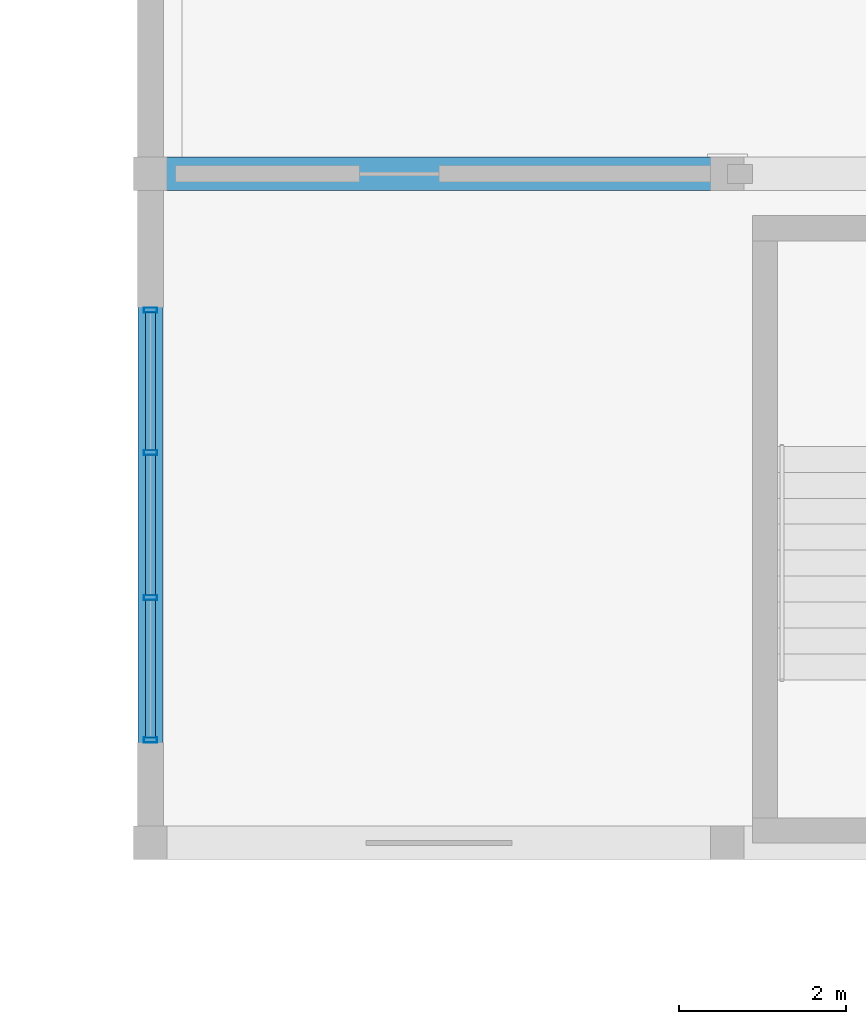
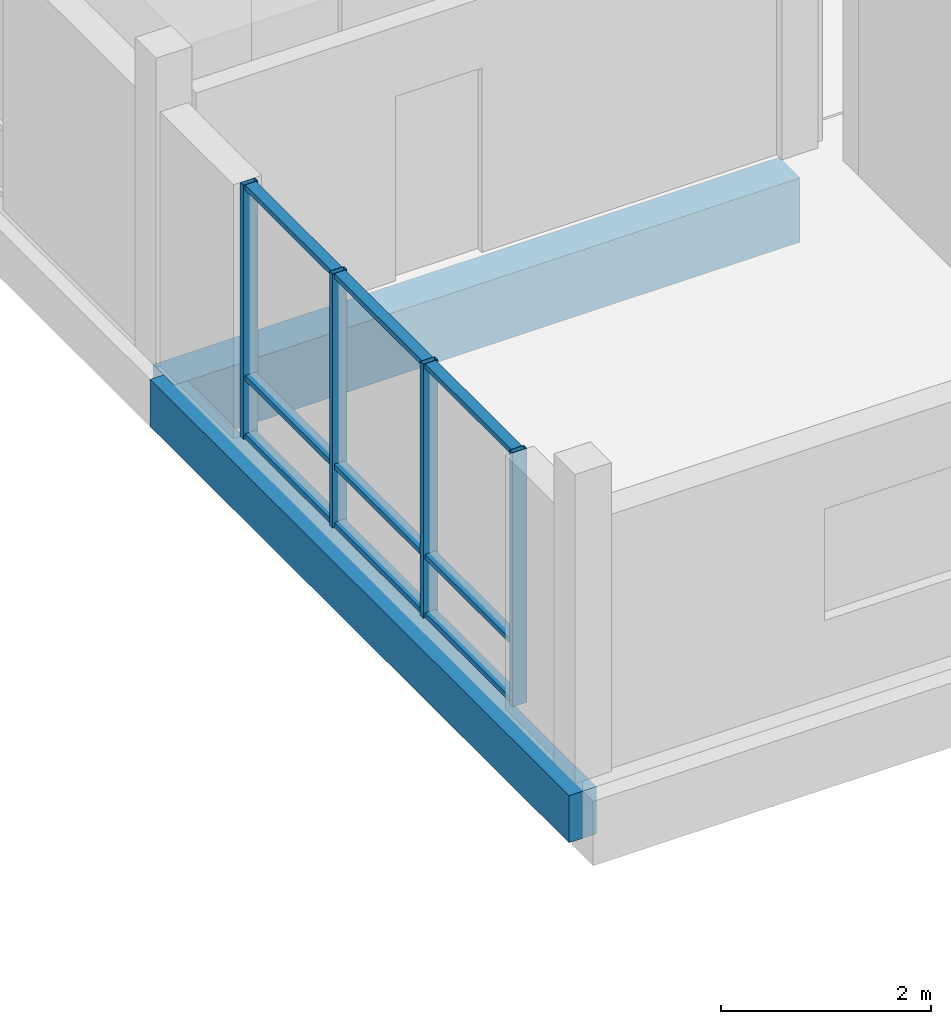
# One storey, part 22 of 189: 13 members, 2 beams, 1 element without a shape of its own.
"""IFC4 building model written with IfcOpenShell, lengths in metres."""

from ifc_helpers import new_model, si_unit, direction, frame, origin, origin_2d, place, context, subcontext, project, spatial, rectangle, hollow_rectangle, extrude, material, material_profile, profile_set, type_object, element, aggregate, save


model = new_model("IFC4")

# Units and contexts
model_context = context("Model", 3, precision=1e-05, world=origin(), true_north=direction((0.0, 1.0)))
body_context = subcontext(model_context, "Body", "Model", "MODEL_VIEW")
ifc_project = project(units=[si_unit("LENGTHUNIT", "METRE"), si_unit("AREAUNIT", "SQUARE_METRE"), si_unit("VOLUMEUNIT", "CUBIC_METRE"), si_unit("PLANEANGLEUNIT", "RADIAN"), si_unit("MASSUNIT", "GRAM", prefix="KILO")], contexts=[model_context])

# Site, building, storey
site_placement = place(None, origin())
site = spatial("IfcSite", under=ifc_project, at=site_placement, CompositionType="ELEMENT")
building_placement = place(site_placement, origin())
building = spatial("IfcBuilding", under=site, at=building_placement, Name="Zavelmont Quarter", CompositionType="ELEMENT")
storey_placement = place(building_placement, frame((0.0, 0.0, 4.39990234375)))
storey = spatial("IfcBuildingStorey", under=building, at=storey_placement, Name="L01", CompositionType="ELEMENT", Elevation=4.39990234375)

# Beams
ifc_material_1 = material(Name="Concrete C35/45", Category="concrete")
ifc_material_profile_1 = material_profile(ifc_material_1, rectangle(XDim=0.300048828125, YDim=0.550048828125, at=origin_2d()), Name="RC300X550")
ifc_profile_set_1 = profile_set([ifc_material_profile_1], Name="Concrete C35/45")
beam_type_1 = type_object("IfcBeamType", Name="BM02", PredefinedType="SPANDREL", material=ifc_profile_set_1)
beam_1_placement = place(storey_placement, frame((0.0, 30.0, -0.554931640625), z_axis=(0.0, 1.0, 0.0), x_axis=(-1.0, 0.0, 0.0)))
element("IfcBeam", 1, at=beam_1_placement, inside=storey, type_object=beam_type_1, Name="L01 beam BM02 1/F to 1/G", PredefinedType="SPANDREL", context=body_context, shape_type="SweptSolid", body=[
    extrude(rectangle(XDim=0.300048828125, YDim=0.550048828125, at=origin_2d()), origin(), (0.0, 0.0, 1.0), 8.0),
])
ifc_material_2 = material(Name="Concrete C40/50", Category="concrete")
ifc_material_profile_2 = material_profile(ifc_material_2, rectangle(XDim=0.39990234375, YDim=0.75, at=origin_2d()), Name="RC400X750")
ifc_profile_set_2 = profile_set([ifc_material_profile_2], Name="Concrete C40/50")
beam_type_2 = type_object("IfcBeamType", Name="BM05", PredefinedType="BEAM", material=ifc_profile_set_2)
beam_2_placement = place(storey_placement, frame((0.0, 38.0, -0.65478515625), z_axis=(1.0, 0.0, 0.0), x_axis=(0.0, 1.0, 0.0)))
element("IfcBeam", 2, at=beam_2_placement, inside=storey, type_object=beam_type_2, Name="L01 beam BM05 1/G to 2/G", PredefinedType="BEAM", context=body_context, shape_type="SweptSolid", body=[
    extrude(rectangle(XDim=0.39990234375, YDim=0.75, at=origin_2d()), origin(), (0.0, 0.0, 1.0), 6.89990234375),
])

# Curtain wall, members
ifc_material_3 = material(Name="Thermally broken aluminium and double low-E safety glazing", Category="aluminium")
curtain_wall_type = type_object("IfcCurtainWallType", Name="CW-520X296", PredefinedType="NOTDEFINED", material=ifc_material_3)
curtain_wall_placement = place(storey_placement, origin())
curtain_wall = element("IfcCurtainWall", 3, at=curtain_wall_placement, inside=storey, type_object=curtain_wall_type, Name="L01 unitised curtain wall CW-520X296", PredefinedType="NOTDEFINED")
ifc_material_4 = material(Name="Powder-coated aluminium EN AW-6063-T6", Category="aluminium")
ifc_material_profile_3 = material_profile(ifc_material_4, hollow_rectangle(XDim=0.06005859375, YDim=0.159912109375, WallThickness=0.00390625, at=origin_2d()), Name="CWM60X160")
ifc_profile_set_3 = profile_set([ifc_material_profile_3], Name="Powder-coated aluminium EN AW-6063-T6")
member_type_1 = type_object("IfcMemberType", Name="CWM01", PredefinedType="MULLION", material=ifc_profile_set_3)
member_1_placement = place(storey_placement, frame((0.0, 31.22998046875, 0.0), z_axis=(0.0, 0.0, 1.0), x_axis=(0.0, 1.0, 0.0)))
member_1 = element("IfcMember", 4, at=member_1_placement, type_object=member_type_1, Name="CW-520X296 mullion 1", PredefinedType="MULLION", context=body_context, shape_type="SweptSolid", body=[
    extrude(hollow_rectangle(XDim=0.06005859375, YDim=0.159912109375, WallThickness=0.00390625, at=origin_2d()), origin(), (0.0, 0.0, 1.0), 2.960205078125),
])
member_2_placement = place(storey_placement, frame((0.0, 32.933349609375, 0.0), z_axis=(0.0, 0.0, 1.0), x_axis=(0.0, 1.0, 0.0)))
member_2 = element("IfcMember", 5, at=member_2_placement, type_object=member_type_1, Name="CW-520X296 mullion 2", PredefinedType="MULLION", context=body_context, shape_type="SweptSolid", body=[
    extrude(hollow_rectangle(XDim=0.06005859375, YDim=0.159912109375, WallThickness=0.00390625, at=origin_2d()), origin(), (0.0, 0.0, 1.0), 2.960205078125),
])
member_3_placement = place(storey_placement, frame((0.0, 34.666748046875, 0.0), z_axis=(0.0, 0.0, 1.0), x_axis=(0.0, 1.0, 0.0)))
member_3 = element("IfcMember", 6, at=member_3_placement, type_object=member_type_1, Name="CW-520X296 mullion 3", PredefinedType="MULLION", context=body_context, shape_type="SweptSolid", body=[
    extrude(hollow_rectangle(XDim=0.06005859375, YDim=0.159912109375, WallThickness=0.00390625, at=origin_2d()), origin(), (0.0, 0.0, 1.0), 2.960205078125),
])
member_4_placement = place(storey_placement, frame((0.0, 36.3701171875, 0.0), z_axis=(0.0, 0.0, 1.0), x_axis=(0.0, 1.0, 0.0)))
member_4 = element("IfcMember", 7, at=member_4_placement, type_object=member_type_1, Name="CW-520X296 mullion 4", PredefinedType="MULLION", context=body_context, shape_type="SweptSolid", body=[
    extrude(hollow_rectangle(XDim=0.06005859375, YDim=0.159912109375, WallThickness=0.00390625, at=origin_2d()), origin(), (0.0, 0.0, 1.0), 2.960205078125),
])
ifc_material_profile_4 = material_profile(ifc_material_4, hollow_rectangle(XDim=0.1201171875, YDim=0.06005859375, WallThickness=0.00390625, at=origin_2d()), Name="CWT60X120")
ifc_profile_set_4 = profile_set([ifc_material_profile_4], Name="Powder-coated aluminium EN AW-6063-T6")
member_type_2 = type_object("IfcMemberType", Name="CWT01", PredefinedType="NOTDEFINED", material=ifc_profile_set_4)
member_5_placement = place(storey_placement, frame((0.0, 31.260009765625, 0.030029296875), z_axis=(0.0, 1.0, 0.0), x_axis=(-1.0, 0.0, 0.0)))
member_5 = element("IfcMember", 8, at=member_5_placement, type_object=member_type_2, Name="CW-520X296 transom 1.1", ObjectType="TRANSOM", PredefinedType="USERDEFINED", context=body_context, shape_type="SweptSolid", body=[
    extrude(hollow_rectangle(XDim=0.1201171875, YDim=0.06005859375, WallThickness=0.00390625, at=origin_2d()), origin(), (0.0, 0.0, 1.0), 1.643310546875),
])
member_6_placement = place(storey_placement, frame((0.0, 31.260009765625, 0.710205078125), z_axis=(0.0, 1.0, 0.0), x_axis=(-1.0, 0.0, 0.0)))
member_6 = element("IfcMember", 9, at=member_6_placement, type_object=member_type_2, Name="CW-520X296 transom 1.2", ObjectType="TRANSOM", PredefinedType="USERDEFINED", context=body_context, shape_type="SweptSolid", body=[
    extrude(hollow_rectangle(XDim=0.1201171875, YDim=0.06005859375, WallThickness=0.00390625, at=origin_2d()), origin(), (0.0, 0.0, 1.0), 1.643310546875),
])
member_7_placement = place(storey_placement, frame((0.0, 31.260009765625, 2.93017578125), z_axis=(0.0, 1.0, 0.0), x_axis=(-1.0, 0.0, 0.0)))
member_7 = element("IfcMember", 10, at=member_7_placement, type_object=member_type_2, Name="CW-520X296 transom 1.3", ObjectType="TRANSOM", PredefinedType="USERDEFINED", context=body_context, shape_type="SweptSolid", body=[
    extrude(hollow_rectangle(XDim=0.1201171875, YDim=0.06005859375, WallThickness=0.00390625, at=origin_2d()), origin(), (0.0, 0.0, 1.0), 1.643310546875),
])
member_8_placement = place(storey_placement, frame((0.0, 32.96337890625, 0.030029296875), z_axis=(0.0, 1.0, 0.0), x_axis=(-1.0, 0.0, 0.0)))
member_8 = element("IfcMember", 11, at=member_8_placement, type_object=member_type_2, Name="CW-520X296 transom 2.1", ObjectType="TRANSOM", PredefinedType="USERDEFINED", context=body_context, shape_type="SweptSolid", body=[
    extrude(hollow_rectangle(XDim=0.1201171875, YDim=0.06005859375, WallThickness=0.00390625, at=origin_2d()), origin(), (0.0, 0.0, 1.0), 1.67333984375),
])
member_9_placement = place(storey_placement, frame((0.0, 32.96337890625, 0.710205078125), z_axis=(0.0, 1.0, 0.0), x_axis=(-1.0, 0.0, 0.0)))
member_9 = element("IfcMember", 12, at=member_9_placement, type_object=member_type_2, Name="CW-520X296 transom 2.2", ObjectType="TRANSOM", PredefinedType="USERDEFINED", context=body_context, shape_type="SweptSolid", body=[
    extrude(hollow_rectangle(XDim=0.1201171875, YDim=0.06005859375, WallThickness=0.00390625, at=origin_2d()), origin(), (0.0, 0.0, 1.0), 1.67333984375),
])
member_10_placement = place(storey_placement, frame((0.0, 32.96337890625, 2.93017578125), z_axis=(0.0, 1.0, 0.0), x_axis=(-1.0, 0.0, 0.0)))
member_10 = element("IfcMember", 13, at=member_10_placement, type_object=member_type_2, Name="CW-520X296 transom 2.3", ObjectType="TRANSOM", PredefinedType="USERDEFINED", context=body_context, shape_type="SweptSolid", body=[
    extrude(hollow_rectangle(XDim=0.1201171875, YDim=0.06005859375, WallThickness=0.00390625, at=origin_2d()), origin(), (0.0, 0.0, 1.0), 1.67333984375),
])
member_11_placement = place(storey_placement, frame((0.0, 34.69677734375, 0.030029296875), z_axis=(0.0, 1.0, 0.0), x_axis=(-1.0, 0.0, 0.0)))
member_11 = element("IfcMember", 14, at=member_11_placement, type_object=member_type_2, Name="CW-520X296 transom 3.1", ObjectType="TRANSOM", PredefinedType="USERDEFINED", context=body_context, shape_type="SweptSolid", body=[
    extrude(hollow_rectangle(XDim=0.1201171875, YDim=0.06005859375, WallThickness=0.00390625, at=origin_2d()), origin(), (0.0, 0.0, 1.0), 1.643310546875),
])
member_12_placement = place(storey_placement, frame((0.0, 34.69677734375, 0.710205078125), z_axis=(0.0, 1.0, 0.0), x_axis=(-1.0, 0.0, 0.0)))
member_12 = element("IfcMember", 15, at=member_12_placement, type_object=member_type_2, Name="CW-520X296 transom 3.2", ObjectType="TRANSOM", PredefinedType="USERDEFINED", context=body_context, shape_type="SweptSolid", body=[
    extrude(hollow_rectangle(XDim=0.1201171875, YDim=0.06005859375, WallThickness=0.00390625, at=origin_2d()), origin(), (0.0, 0.0, 1.0), 1.643310546875),
])
member_13_placement = place(storey_placement, frame((0.0, 34.69677734375, 2.93017578125), z_axis=(0.0, 1.0, 0.0), x_axis=(-1.0, 0.0, 0.0)))
member_13 = element("IfcMember", 16, at=member_13_placement, type_object=member_type_2, Name="CW-520X296 transom 3.3", ObjectType="TRANSOM", PredefinedType="USERDEFINED", context=body_context, shape_type="SweptSolid", body=[
    extrude(hollow_rectangle(XDim=0.1201171875, YDim=0.06005859375, WallThickness=0.00390625, at=origin_2d()), origin(), (0.0, 0.0, 1.0), 1.643310546875),
])
aggregate(curtain_wall, [member_1, member_2, member_3, member_4, member_5, member_6, member_7, member_8, member_9, member_10, member_11, member_12, member_13])

save(model, "model.ifc")
